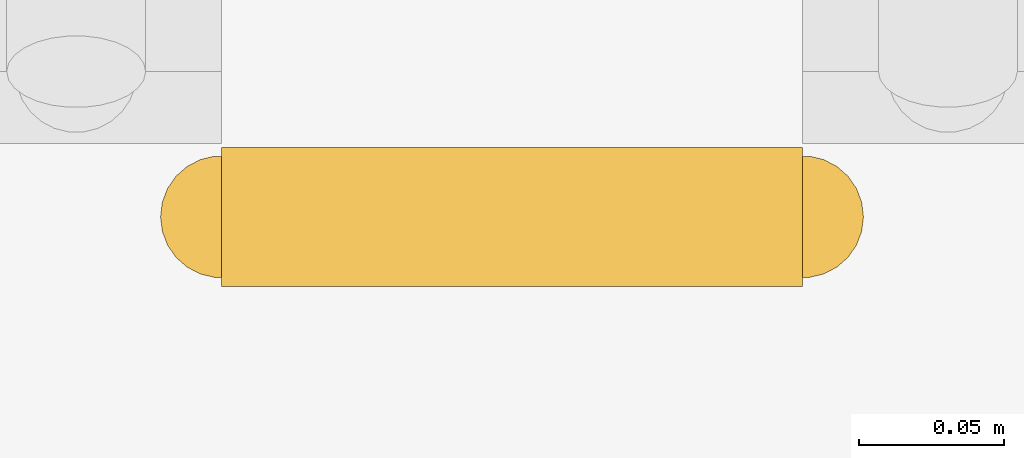
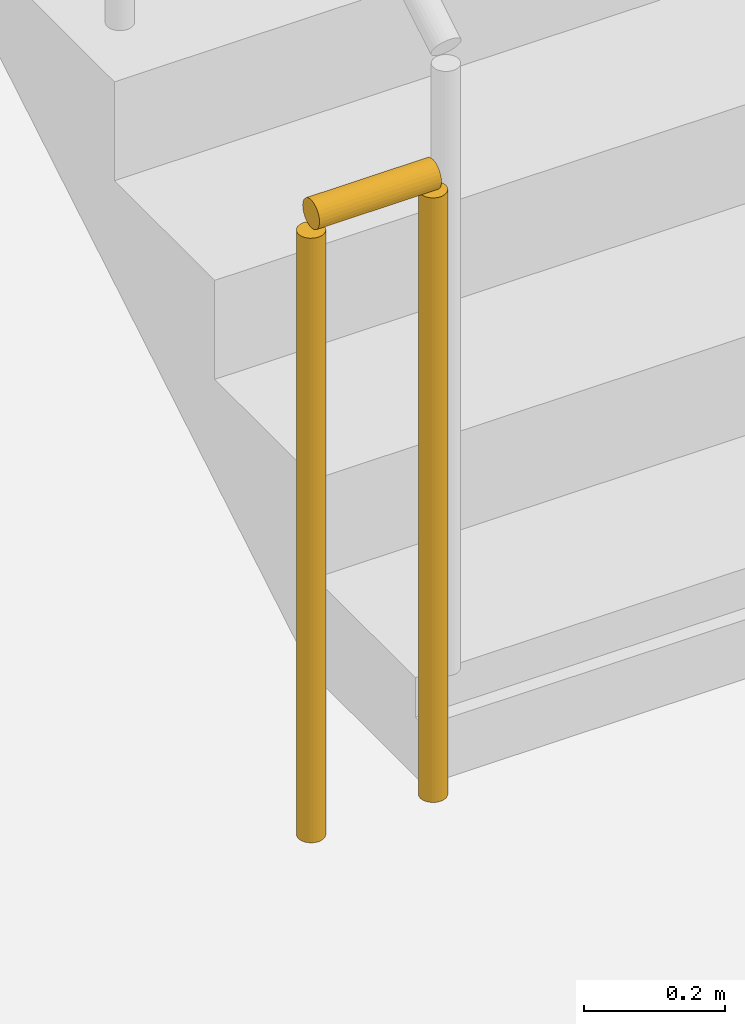
# One storey, part 86 of 100: 1 railing.
"""IFC4 building model written with IfcOpenShell, lengths in metres."""

from ifc_helpers import new_model, si_unit, direction, frame, origin, origin_2d, place, context, subcontext, project, spatial, circle, extrude, material, type_object, element, save


model = new_model("IFC4")

# Units and contexts
model_context = context("Model", 3, precision=1e-05, world=origin(), true_north=direction((0.0, 1.0)))
body_context = subcontext(model_context, "Body", "Model", "MODEL_VIEW")
ifc_project = project(units=[si_unit("LENGTHUNIT", "METRE"), si_unit("AREAUNIT", "SQUARE_METRE"), si_unit("VOLUMEUNIT", "CUBIC_METRE"), si_unit("PLANEANGLEUNIT", "RADIAN"), si_unit("MASSUNIT", "GRAM", prefix="KILO")], contexts=[model_context])

# Site, building, storey
site_placement = place(None, origin())
site = spatial("IfcSite", under=ifc_project, at=site_placement, CompositionType="ELEMENT")
building_placement = place(site_placement, origin())
building = spatial("IfcBuilding", under=site, at=building_placement, Name="Caelomonte Colonnade Arena", CompositionType="ELEMENT")
storey_placement = place(building_placement, origin())
storey = spatial("IfcBuildingStorey", under=building, at=storey_placement, Name="L00", CompositionType="ELEMENT", Elevation=0.0)

# Railing
ifc_material = material(Name="Painted galvanized steel stair guard", Category="steel")
railing_type = type_object("IfcRailingType", Name="INT-RL-GRD", PredefinedType="GUARDRAIL", material=ifc_material)
railing_placement = place(storey_placement, frame((109.25, 108.199951171875, 0.0)))
element("IfcRailing", 1, at=railing_placement, inside=storey, type_object=railing_type, Name="L00 ST-V06 stair guard 4", PredefinedType="GUARDRAIL", context=body_context, shape_type="SweptSolid", body=[
    extrude(circle(Radius=0.02392578125, at=origin_2d()), frame((0.0, 0.0, 1.076171875), z_axis=(-1.0, 0.0, 0.0), x_axis=(0.0, -1.0, 0.0)), (0.0, 0.0, 1.0), 0.199951171875),
    extrude(circle(Radius=0.02099609375, at=origin_2d()), origin(), (0.0, 0.0, 1.0), 1.048095703125),
    extrude(circle(Radius=0.02099609375, at=origin_2d()), frame((-0.199951171875, 0.0, 0.0)), (0.0, 0.0, 1.0), 1.048095703125),
])

save(model, "model.ifc")
